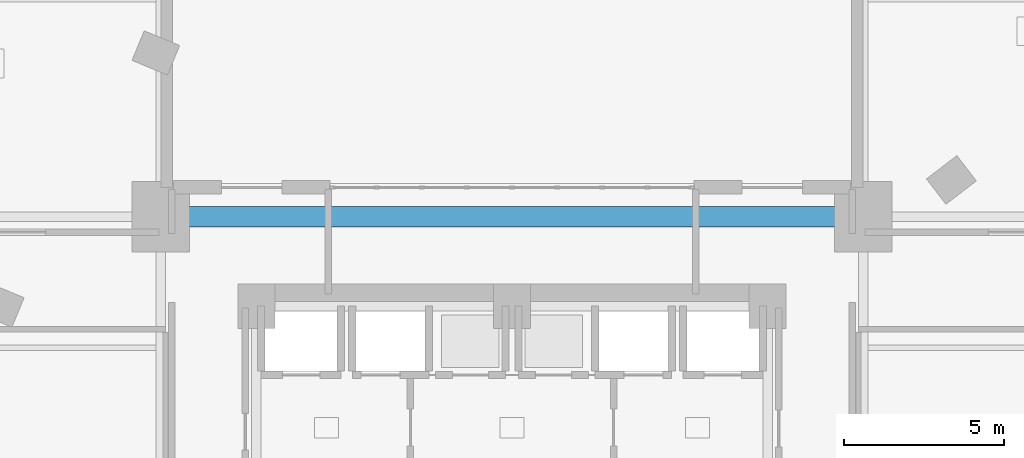
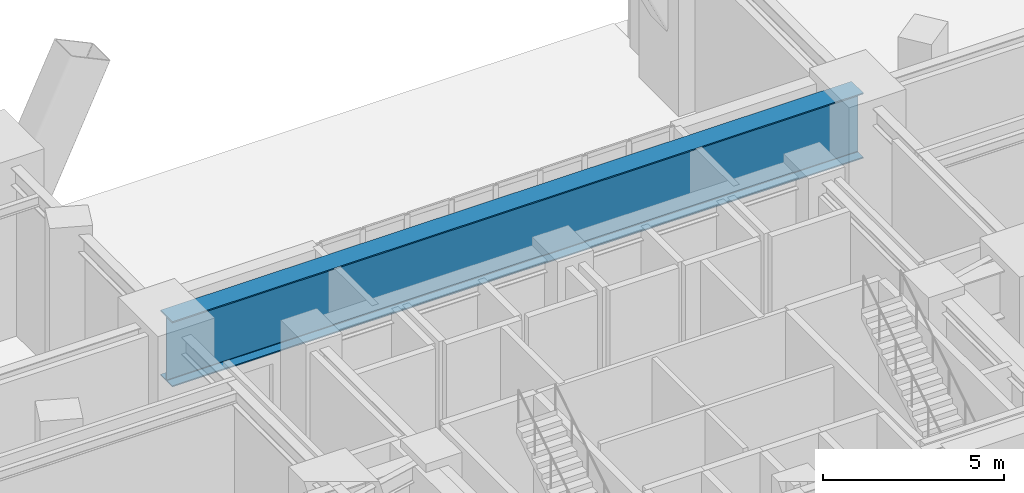
# One storey, part 11 of 27: 1 beam.
"""IFC4 building model written with IfcOpenShell, lengths in metres."""

import ifcopenshell
import ifcopenshell.guid

model = None  # the IFC model being written
_history = None  # IfcOwnerHistory: only IFC2X3 demands one
_inside = {}  # id of a spatial element -> (the spatial element, [elements in it])
_under = {}  # id of a project, library or spatial element -> (it, [spatial elements below it])
_declared = {}  # id of a project -> (the project, [libraries it declares])
_typed = {}  # id of a type object -> (the type object, [elements of that type])
_made_of = {}  # id of a material, layer set ... -> (it, [elements and type objects made of it])


def new_model(schema):
    """Start an empty IFC model of exactly this schema.

    Asked for "IFC4X3", IfcOpenShell would pick the latest addendum, in which some entities
    have other attributes; the version numbers below select the first issue.
    IFC2X3 requires an IfcOwnerHistory on every rooted entity: one is made here for all.
    """
    global model, _history
    if schema == "IFC4X3":
        model = ifcopenshell.file(schema_version=(4, 3, 0, 0))
    else:
        model = ifcopenshell.file(schema=schema)
    _inside.clear()
    _under.clear()
    _declared.clear()
    _typed.clear()
    _made_of.clear()
    _history = None
    if model.schema == "IFC2X3":
        org = make("IfcOrganization", Name="unknown")
        user = make(
            "IfcPersonAndOrganization",
            ThePerson=make("IfcPerson", FamilyName="unknown"),
            TheOrganization=org,
        )
        app = make(
            "IfcApplication",
            ApplicationDeveloper=org,
            Version="unknown",
            ApplicationFullName="unknown",
            ApplicationIdentifier="unknown",
        )
        _history = make(
            "IfcOwnerHistory",
            OwningUser=user,
            OwningApplication=app,
            ChangeAction="ADDED",
            CreationDate=0,
        )
    return model


def make(cls, **values):
    """One entity of the class cls with the attributes given. An attribute that is None is left unset."""
    return model.create_entity(
        cls, **{name: value for name, value in values.items() if value is not None}
    )


def rooted(cls, **values):
    """An entity with a GlobalId (a new one), such as an element, a storey or a relation."""
    return make(cls, GlobalId=ifcopenshell.guid.new(), OwnerHistory=_history, **values)


def si_unit(unit_type, name, prefix=None):
    """IfcSIUnit, for example si_unit("LENGTHUNIT", "METRE", prefix="MILLI")."""
    return make("IfcSIUnit", UnitType=unit_type, Prefix=prefix, Name=name)


def assignment(units):
    """IfcUnitAssignment: the units of a project."""
    return None if units is None else make("IfcUnitAssignment", Units=units)


def point(xyz):
    """IfcCartesianPoint."""
    return None if xyz is None else make("IfcCartesianPoint", Coordinates=xyz)


def direction(xyz):
    """IfcDirection."""
    return None if xyz is None else make("IfcDirection", DirectionRatios=xyz)


def frame(location, z_axis=None, x_axis=None):
    """IfcAxis2Placement3D, a coordinate frame: its origin and axes. An axis left out is left unset."""
    return make(
        "IfcAxis2Placement3D",
        Location=point(location),
        Axis=direction(z_axis),
        RefDirection=direction(x_axis),
    )


def frame_2d(location, x_axis=None):
    """IfcAxis2Placement2D, a coordinate frame in the plane: its origin and x axis."""
    return make(
        "IfcAxis2Placement2D", Location=point(location), RefDirection=direction(x_axis)
    )


def origin():
    """The frame at (0, 0, 0) with its axes left unset."""
    return frame((0.0, 0.0, 0.0))


def origin_2d():
    """The frame at (0, 0) in the plane with its x axis left unset."""
    return frame_2d((0.0, 0.0))


def place(relative_to, where):
    """IfcLocalPlacement: puts the frame where relative to a parent placement (None: the world)."""
    return make(
        "IfcLocalPlacement", PlacementRelTo=relative_to, RelativePlacement=where
    )


def context(
    kind, dimensions, precision=None, world=None, true_north=None, identifier=None
):
    """IfcGeometricRepresentationContext, for example the 3D "Model" context."""
    return make(
        "IfcGeometricRepresentationContext",
        ContextIdentifier=identifier,
        ContextType=kind,
        CoordinateSpaceDimension=dimensions,
        Precision=precision,
        WorldCoordinateSystem=world,
        TrueNorth=true_north,
    )


def subcontext(parent, identifier, kind, view, scale=None):
    """IfcGeometricRepresentationSubContext, for example "Body" below "Model"."""
    return make(
        "IfcGeometricRepresentationSubContext",
        ContextIdentifier=identifier,
        ContextType=kind,
        ParentContext=parent,
        TargetScale=scale,
        TargetView=view,
    )


def project(units=None, contexts=None):
    """IfcProject with its units and contexts."""
    return rooted(
        "IfcProject",
        Name="project",
        RepresentationContexts=contexts,
        UnitsInContext=assignment(units),
    )


def spatial(cls, under=None, at=None, **own):
    """A site, building, storey or space (cls), placed at a placement, below another one or the project."""
    s = rooted(cls, ObjectPlacement=at, **own)
    if under is not None:
        _under.setdefault(under.id(), (under, []))[1].append(s)
    return s


def profile(cls, at=None, kind="AREA", **sizes):
    """A parametric profile (cls). Its sizes go by their IFC names, for example OverallWidth=200.0."""
    return make(cls, ProfileType=kind, Position=at, **sizes)


def i_section(**sizes):
    """IfcIShapeProfileDef."""
    return profile("IfcIShapeProfileDef", **sizes)


def extrude(swept, where, along, depth):
    """IfcExtrudedAreaSolid: the profile swept, set in the frame where, extruded along a direction by depth."""
    return make(
        "IfcExtrudedAreaSolid",
        SweptArea=swept,
        Position=where,
        ExtrudedDirection=direction(along),
        Depth=depth,
    )


def shape(context_of_items, identifier, shape_type, items):
    """IfcShapeRepresentation: the items that make up one representation, for example the "Body"."""
    return make(
        "IfcShapeRepresentation",
        ContextOfItems=context_of_items,
        RepresentationIdentifier=identifier,
        RepresentationType=shape_type,
        Items=items,
    )


def material(Name=None, Category=None):
    """IfcMaterial."""
    return make("IfcMaterial", Name=Name, Category=Category)


def material_profile(
    of_material, cross_section, Name=None, Category=None, Priority=None
):
    """IfcMaterialProfile: a cross section and its material."""
    return make(
        "IfcMaterialProfile",
        Name=Name,
        Material=of_material,
        Profile=cross_section,
        Priority=Priority,
        Category=Category,
    )


def profile_set(profiles, Name=None, composite=None):
    """IfcMaterialProfileSet."""
    return make(
        "IfcMaterialProfileSet",
        Name=Name,
        MaterialProfiles=profiles,
        CompositeProfile=composite,
    )


def made_of(thing, what):
    """Note that an element or type object is made of a material, layer set ...; save() writes the relation."""
    if what is not None:
        _made_of.setdefault(what.id(), (what, []))[1].append(thing)
    return thing


def type_object(cls, material=None, **own):
    """A type object (cls), such as IfcWallType, which elements share."""
    return made_of(rooted(cls, **own), material)


def element(
    cls,
    number,
    at=None,
    inside=None,
    cuts=None,
    type_object=None,
    material=None,
    context=None,
    identifier="Body",
    shape_type=None,
    held_by="IfcProductDefinitionShape",
    body=None,
    shapes=None,
    **own,
):
    """One element of the class cls, such as IfcWall. Its Tag is "e" and its number.

    at: its placement. inside: the storey or other place that contains it. cuts: it is an
    opening in that element (IfcRelVoidsElement). A single representation is given by context,
    identifier, shape_type and body (its items); several are given by shapes. held_by: the class
    of the entity that holds the representations. save() writes the other relations.
    """
    e = rooted(cls, Tag="e%d" % number, ObjectPlacement=at, **own)
    if body is not None:
        shapes = [shape(context, identifier, shape_type, body)]
    if shapes is not None:
        e.Representation = make(held_by, Representations=shapes)
    if inside is not None:
        _inside.setdefault(inside.id(), (inside, []))[1].append(e)
    if cuts is not None:
        rooted(
            "IfcRelVoidsElement", RelatingBuildingElement=cuts, RelatedOpeningElement=e
        )
    if type_object is not None:
        _typed.setdefault(type_object.id(), (type_object, []))[1].append(e)
    return made_of(e, material)


def aggregate(whole, parts):
    """IfcRelAggregates: a whole, such as a stair, and the parts it consists of."""
    return rooted("IfcRelAggregates", RelatingObject=whole, RelatedObjects=parts)


def save(model, path):
    """Write the relations noted so far, then the file.

    IfcRelAggregates (storeys below a building ...), IfcRelContainedInSpatialStructure (elements
    in a storey), IfcRelDefinesByType, IfcRelAssociatesMaterial and IfcRelDeclares: one each for
    every whole, place, type object, material and project.
    """
    for whole, parts in _under.values():
        aggregate(whole, parts)
    for where, things in _inside.values():
        rooted(
            "IfcRelContainedInSpatialStructure",
            RelatedElements=things,
            RelatingStructure=where,
        )
    for kind, things in _typed.values():
        rooted("IfcRelDefinesByType", RelatedObjects=things, RelatingType=kind)
    for what, things in _made_of.values():
        rooted("IfcRelAssociatesMaterial", RelatedObjects=things, RelatingMaterial=what)
    for by, libraries in _declared.values():
        rooted("IfcRelDeclares", RelatingContext=by, RelatedDefinitions=libraries)
    model.write(path)


model = new_model("IFC4")

# Units and contexts
model_context = context("Model", 3, precision=1e-05, world=origin(), true_north=direction((0.0, 1.0)))
body_context = subcontext(model_context, "Body", "Model", "MODEL_VIEW")
ifc_project = project(units=[si_unit("LENGTHUNIT", "METRE"), si_unit("AREAUNIT", "SQUARE_METRE"), si_unit("VOLUMEUNIT", "CUBIC_METRE"), si_unit("PLANEANGLEUNIT", "RADIAN"), si_unit("MASSUNIT", "GRAM", prefix="KILO")], contexts=[model_context])

# Site, building, storey
site_placement = place(None, origin())
site = spatial("IfcSite", under=ifc_project, at=site_placement, CompositionType="ELEMENT")
building_placement = place(site_placement, origin())
building = spatial("IfcBuilding", under=site, at=building_placement, Name="Ndelora Gate Hotel", CompositionType="ELEMENT")
storey_placement = place(building_placement, origin())
storey = spatial("IfcBuildingStorey", under=building, at=storey_placement, Name="L00", CompositionType="ELEMENT", Elevation=0.0)

# Beam
ifc_material = material(Name="Steel S460", Category="steel")
ifc_material_profile = material_profile(ifc_material, i_section(OverallWidth=0.64990234375, OverallDepth=2.199951171875, WebThickness=0.030029296875, FlangeThickness=0.0400390625, FilletRadius=0.02392578125, at=origin_2d()), Name="PG 2200x650x40")
ifc_profile_set = profile_set([ifc_material_profile], Name="Steel S460")
beam_type = type_object("IfcBeamType", Name="BM-TR-2200", PredefinedType="BEAM", material=ifc_profile_set)
beam_placement = place(storey_placement, frame((-11.0, 9.39990234375, 4.6201171875), z_axis=(1.0, 0.0, 0.0), x_axis=(0.0, 1.0, 0.0)))
element("IfcBeam", 1, at=beam_placement, inside=storey, type_object=beam_type, Name="L00 structural beam TG-0", PredefinedType="BEAM", context=body_context, shape_type="SweptSolid", body=[
    extrude(i_section(OverallWidth=0.64990234375, OverallDepth=2.199951171875, WebThickness=0.030029296875, FlangeThickness=0.0400390625, FilletRadius=0.02392578125, at=origin_2d()), origin(), (0.0, 0.0, 1.0), 22.0),
])

save(model, "model.ifc")
